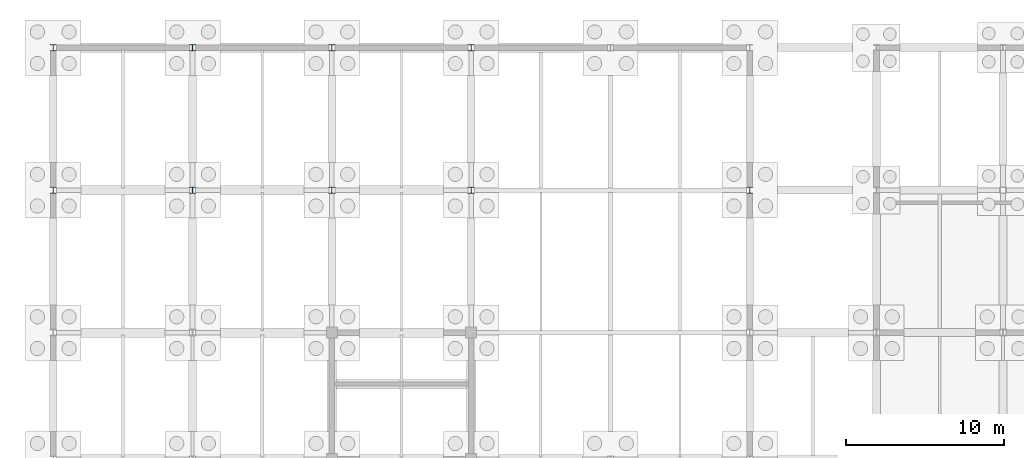
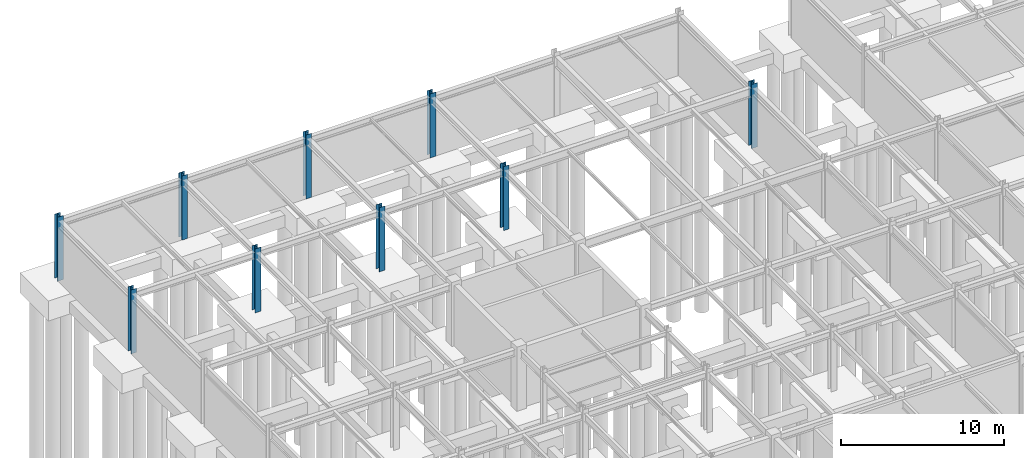
# One storey, part 23 of 72: 9 columns.
"""IFC4 building model written with IfcOpenShell, lengths in metres."""

from ifc_helpers import new_model, si_unit, direction, frame, origin, origin_2d, place, context, subcontext, project, spatial, i_section, extrude, material, material_profile, profile_set, type_object, element, save


model = new_model("IFC4")

# Units and contexts
model_context = context("Model", 3, precision=1e-05, world=origin(), true_north=direction((0.0, 1.0)))
body_context = subcontext(model_context, "Body", "Model", "MODEL_VIEW")
ifc_project = project(units=[si_unit("LENGTHUNIT", "METRE"), si_unit("AREAUNIT", "SQUARE_METRE"), si_unit("VOLUMEUNIT", "CUBIC_METRE"), si_unit("PLANEANGLEUNIT", "RADIAN"), si_unit("MASSUNIT", "GRAM", prefix="KILO")], contexts=[model_context])

# Site, building, storey
site_placement = place(None, origin())
site = spatial("IfcSite", under=ifc_project, at=site_placement, CompositionType="ELEMENT")
building_placement = place(site_placement, origin())
building = spatial("IfcBuilding", under=site, at=building_placement, Name="Zhaolan Boulevard Law Courts", CompositionType="ELEMENT")
storey_placement = place(building_placement, frame((0.0, 0.0, -4.800048828125)))
storey = spatial("IfcBuildingStorey", under=building, at=storey_placement, Name="B1", CompositionType="ELEMENT", Elevation=-4.800048828125)

# Columns
ifc_material = material(Name="Structural steel Q390B", Category="steel")
ifc_material_profile = material_profile(ifc_material, i_section(OverallWidth=0.39990234375, OverallDepth=0.39990234375, WebThickness=0.012939453125, FlangeThickness=0.02099609375, FilletRadius=0.02197265625, at=origin_2d()), Name="HW400x400")
ifc_profile_set = profile_set([ifc_material_profile], Name="Structural steel Q390B")
column_type = type_object("IfcColumnType", Name="COL HW400", PredefinedType="COLUMN", material=ifc_profile_set)
for number, where, z_axis, x_axis, name in (
    (1, (0.0, 103.0, 0.0), (0.0, 0.0, 1.0), (1.0, 0.0, 0.0), "Column C-1P (B1)"),
    (2, (0.0, 112.0, 0.0), (0.0, 0.0, 1.0), (1.0, 0.0, 0.0), "Column C-1Q (B1)"),
    (3, (8.800048828125, 103.0, 0.0), (0.0, 0.0, 1.0), (1.0, 0.0, 0.0), "Column C-2P (B1)"),
    (4, (8.800048828125, 112.0, 0.0), (0.0, 0.0, 1.0), (1.0, 0.0, 0.0), "Column C-2Q (B1)"),
    (5, (17.60009765625, 103.0, 0.0), (0.0, 0.0, 1.0), (1.0, 0.0, 0.0), "Column C-3P (B1)"),
    (6, (17.60009765625, 112.0, 0.0), (0.0, 0.0, 1.0), (1.0, 0.0, 0.0), "Column C-3Q (B1)"),
    (7, (26.39990234375, 103.0, 0.0), (0.0, 0.0, 1.0), (1.0, 0.0, 0.0), "Column C-4P (B1)"),
    (8, (26.39990234375, 112.0, 0.0), (0.0, 0.0, 1.0), (1.0, 0.0, 0.0), "Column C-4Q (B1)"),
    (9, (44.0, 103.0, 0.0), (0.0, 0.0, 1.0), (1.0, 0.0, 0.0), "Column C-6P (B1)"),
):
    element("IfcColumn", number, at=place(storey_placement, frame(where, z_axis=z_axis, x_axis=x_axis)), inside=storey, type_object=column_type, Name=name, PredefinedType="COLUMN", context=body_context, shape_type="SweptSolid", body=[
        extrude(i_section(OverallWidth=0.39990234375, OverallDepth=0.39990234375, WebThickness=0.012939453125, FlangeThickness=0.02099609375, FilletRadius=0.02197265625, at=origin_2d()), origin(), (0.0, 0.0, 1.0), 4.800048828125),
    ])

save(model, "model.ifc")
